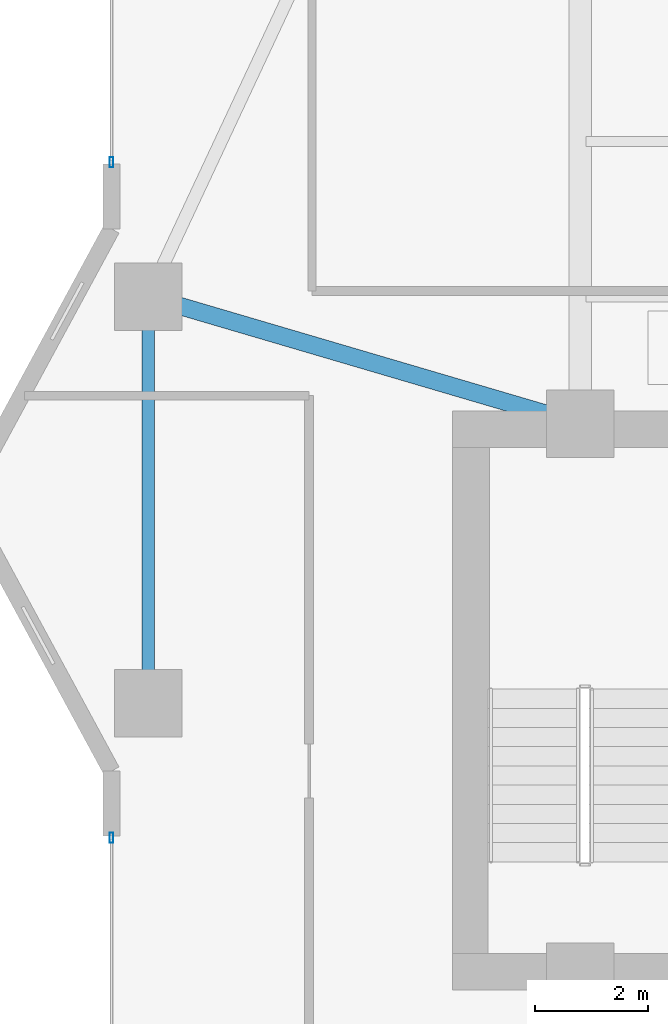
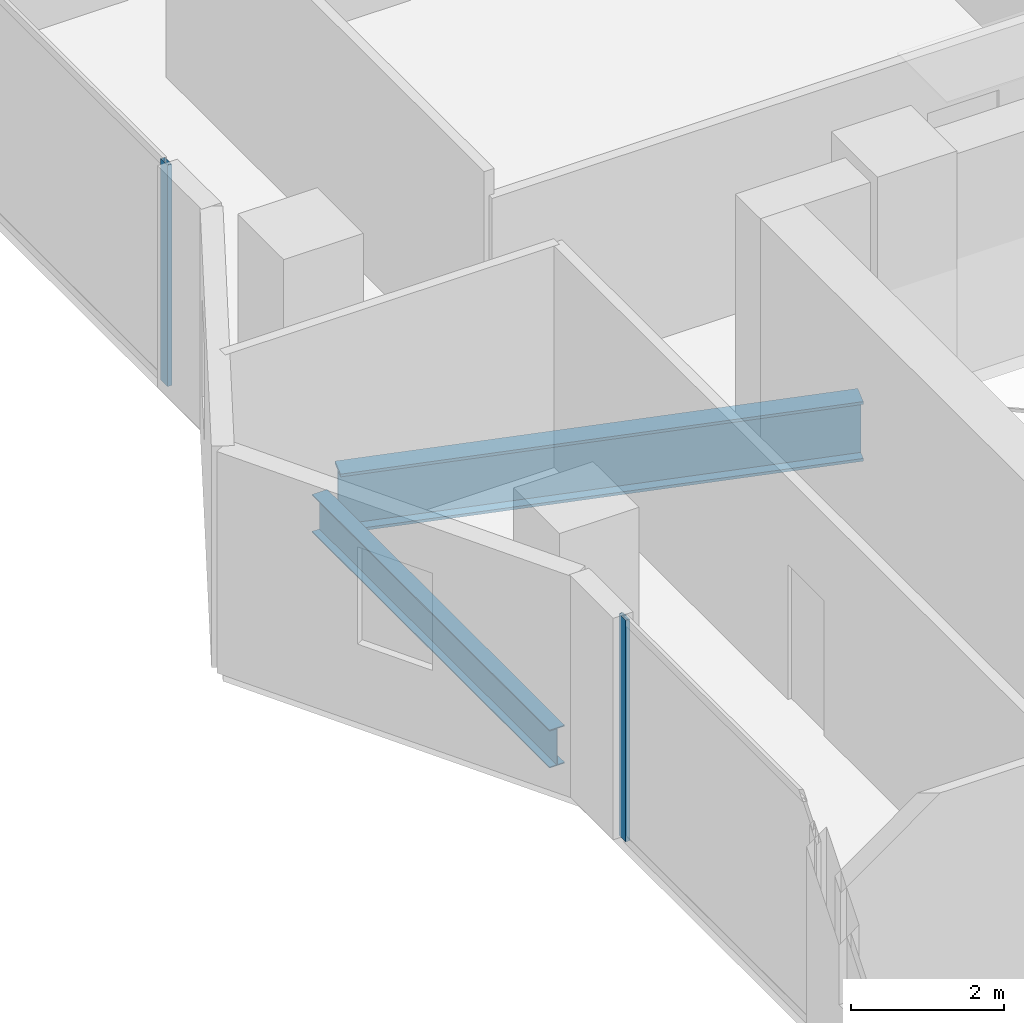
# One storey, part 7 of 32: 2 beams, 2 members, 2 elements without a shape of their own.
"""IFC4 building model written with IfcOpenShell, lengths in metres."""

from ifc_helpers import new_model, si_unit, direction, frame, origin, origin_2d, place, context, subcontext, project, spatial, hollow_rectangle, i_section, extrude, material, layer, layer_set, material_profile, profile_set, type_object, element, aggregate, save


model = new_model("IFC4")

# Units and contexts
model_context = context("Model", 3, precision=1e-05, world=origin(), true_north=direction((0.0, 1.0)))
body_context = subcontext(model_context, "Body", "Model", "MODEL_VIEW")
ifc_project = project(units=[si_unit("LENGTHUNIT", "METRE"), si_unit("AREAUNIT", "SQUARE_METRE"), si_unit("VOLUMEUNIT", "CUBIC_METRE"), si_unit("PLANEANGLEUNIT", "RADIAN"), si_unit("MASSUNIT", "GRAM", prefix="KILO")], contexts=[model_context])

# Site, building, storey
site_placement = place(None, origin())
site = spatial("IfcSite", under=ifc_project, at=site_placement, CompositionType="ELEMENT")
building_placement = place(site_placement, origin())
building = spatial("IfcBuilding", under=site, at=building_placement, Name="Zuhayl Quay Hotel", CompositionType="ELEMENT")
storey_placement = place(building_placement, frame((0.0, 0.0, 177.39990234375)))
storey = spatial("IfcBuildingStorey", under=building, at=storey_placement, Name="L44", CompositionType="ELEMENT", Elevation=177.39990234375)

# Beams
ifc_material_1 = material(Name="Steel ASTM A992 Grade 50", Category="steel")
ifc_material_profile_1 = material_profile(ifc_material_1, i_section(OverallWidth=0.22802734375, OverallDepth=0.60693359375, WebThickness=0.01123046875, FlangeThickness=0.017333984375, at=origin_2d()), Name="W24X76")
ifc_profile_set_1 = profile_set([ifc_material_profile_1], Name="Steel ASTM A992 Grade 50")
beam_type_1 = type_object("IfcBeamType", Name="BM_B3_W24X76", PredefinedType="BEAM", material=ifc_profile_set_1)
beam_1_placement = place(storey_placement, frame((-21.449951171875, 16.10009765625, -0.5234375), z_axis=(0.0, -1.0, 0.0), x_axis=(1.0, 0.0, 0.0)))
element("IfcBeam", 1, at=beam_1_placement, inside=storey, type_object=beam_type_1, Name="L44 Floor Beam RG_L44_11", PredefinedType="BEAM", context=body_context, shape_type="SweptSolid", body=[
    extrude(i_section(OverallWidth=0.22802734375, OverallDepth=0.60693359375, WebThickness=0.01123046875, FlangeThickness=0.017333984375, at=origin_2d()), origin(), (0.0, 0.0, 1.0), 6.2001953125),
])
ifc_material_profile_2 = material_profile(ifc_material_1, i_section(OverallWidth=0.31005859375, OverallDepth=0.949951171875, WebThickness=0.0244140625, FlangeThickness=0.0439453125, at=origin_2d()), Name="W36X256")
ifc_profile_set_2 = profile_set([ifc_material_profile_2], Name="Steel ASTM A992 Grade 50")
beam_type_2 = type_object("IfcBeamType", Name="BM_PG1_W36X256", PredefinedType="BEAM", material=ifc_profile_set_2)
beam_2_placement = place(storey_placement, frame((-20.97021484375, 16.458984375, -0.69482421875), z_axis=(0.959364948093, -0.282168205812, 0.0), x_axis=(0.282168205812, 0.959364948093, 0.0)))
element("IfcBeam", 2, at=beam_2_placement, inside=storey, type_object=beam_type_2, Name="L44 Floor Beam FG_W_L44_2", PredefinedType="BEAM", context=body_context, shape_type="SweptSolid", body=[
    extrude(i_section(OverallWidth=0.31005859375, OverallDepth=0.949951171875, WebThickness=0.0244140625, FlangeThickness=0.0439453125, at=origin_2d()), origin(), (0.0, 0.0, 1.0), 7.02392578125),
])

# Curtain wall, member
ifc_material_2 = material(Name="Anodised Aluminium 6063-T6", Category="aluminium")
ifc_layer = layer(ifc_material_2, 0.175048828125, Name="Anodised Aluminium 6063-T6", Category="aluminium")
ifc_layer_set = layer_set([ifc_layer], Name="Anodised Aluminium 6063-T6")
curtain_wall_type = type_object("IfcCurtainWallType", Name="CW_SYS_Z3", PredefinedType="USERDEFINED", material=ifc_layer_set)
curtain_wall_1_placement = place(storey_placement, origin())
curtain_wall_1 = element("IfcCurtainWall", 3, at=curtain_wall_1_placement, inside=storey, type_object=curtain_wall_type, Name="L44 Curtain Wall ENV_L44_E02_CW1", ObjectType="UNITISED CURTAIN WALL", PredefinedType="USERDEFINED")
ifc_material_3 = material(Name="Black-anodised aluminium 6063-T6", Category="aluminium")
ifc_material_profile_3 = material_profile(ifc_material_3, hollow_rectangle(XDim=0.06494140625, YDim=0.179931640625, WallThickness=0.00341796875, at=origin_2d()), Name="ALU180X65")
ifc_profile_set_3 = profile_set([ifc_material_profile_3], Name="Black-anodised aluminium 6063-T6")
member_type = type_object("IfcMemberType", Name="MB_CW_MUL_180", PredefinedType="MULLION", material=ifc_profile_set_3)
member_1_placement = place(storey_placement, frame((-22.10009765625, 7.017578125, 0.0), z_axis=(0.0, 0.0, 1.0), x_axis=(-1.0, 0.0, 0.0)))
member_1 = element("IfcMember", 4, at=member_1_placement, type_object=member_type, Name="CW-Z3 mullion 2", PredefinedType="MULLION", context=body_context, shape_type="SweptSolid", body=[
    extrude(hollow_rectangle(XDim=0.06494140625, YDim=0.179931640625, WallThickness=0.00341796875, at=origin_2d()), origin(), (0.0, 0.0, 1.0), 3.530029296875),
])
aggregate(curtain_wall_1, [member_1])

curtain_wall_2_placement = place(storey_placement, origin())
curtain_wall_2 = element("IfcCurtainWall", 5, at=curtain_wall_2_placement, inside=storey, type_object=curtain_wall_type, Name="L44 Curtain Wall ENV_L44_E05_CW1", ObjectType="UNITISED CURTAIN WALL", PredefinedType="USERDEFINED")
member_2_placement = place(storey_placement, frame((-22.10009765625, 18.982421875, 0.0), z_axis=(0.0, 0.0, 1.0), x_axis=(-1.0, 0.0, 0.0)))
member_2 = element("IfcMember", 6, at=member_2_placement, type_object=member_type, Name="CW-Z3 mullion 1", PredefinedType="MULLION", context=body_context, shape_type="SweptSolid", body=[
    extrude(hollow_rectangle(XDim=0.06494140625, YDim=0.179931640625, WallThickness=0.00341796875, at=origin_2d()), origin(), (0.0, 0.0, 1.0), 3.530029296875),
])
aggregate(curtain_wall_2, [member_2])

save(model, "model.ifc")
